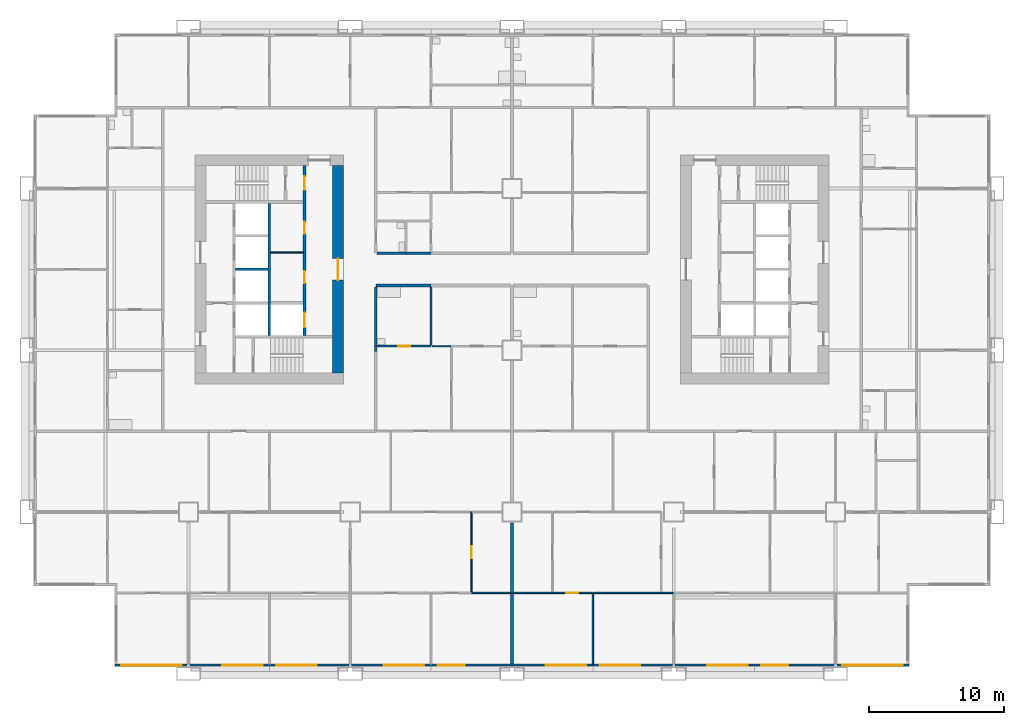
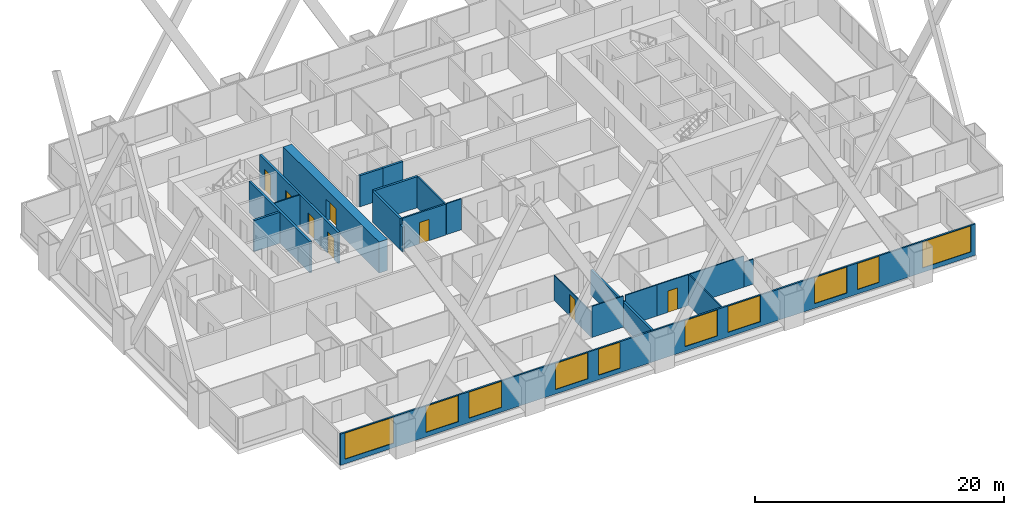
# One storey, part 4 of 13: 23 walls, 10 windows, 8 doors, 18 openings.
"""IFC4 building model written with IfcOpenShell, lengths in metres."""

import ifcopenshell
import ifcopenshell.guid

model = None  # the IFC model being written
_history = None  # IfcOwnerHistory: only IFC2X3 demands one
_inside = {}  # id of a spatial element -> (the spatial element, [elements in it])
_under = {}  # id of a project, library or spatial element -> (it, [spatial elements below it])
_declared = {}  # id of a project -> (the project, [libraries it declares])
_typed = {}  # id of a type object -> (the type object, [elements of that type])
_made_of = {}  # id of a material, layer set ... -> (it, [elements and type objects made of it])


def new_model(schema):
    """Start an empty IFC model of exactly this schema.

    Asked for "IFC4X3", IfcOpenShell would pick the latest addendum, in which some entities
    have other attributes; the version numbers below select the first issue.
    IFC2X3 requires an IfcOwnerHistory on every rooted entity: one is made here for all.
    """
    global model, _history
    if schema == "IFC4X3":
        model = ifcopenshell.file(schema_version=(4, 3, 0, 0))
    else:
        model = ifcopenshell.file(schema=schema)
    _inside.clear()
    _under.clear()
    _declared.clear()
    _typed.clear()
    _made_of.clear()
    _history = None
    if model.schema == "IFC2X3":
        org = make("IfcOrganization", Name="unknown")
        user = make(
            "IfcPersonAndOrganization",
            ThePerson=make("IfcPerson", FamilyName="unknown"),
            TheOrganization=org,
        )
        app = make(
            "IfcApplication",
            ApplicationDeveloper=org,
            Version="unknown",
            ApplicationFullName="unknown",
            ApplicationIdentifier="unknown",
        )
        _history = make(
            "IfcOwnerHistory",
            OwningUser=user,
            OwningApplication=app,
            ChangeAction="ADDED",
            CreationDate=0,
        )
    return model


def make(cls, **values):
    """One entity of the class cls with the attributes given. An attribute that is None is left unset."""
    return model.create_entity(
        cls, **{name: value for name, value in values.items() if value is not None}
    )


def rooted(cls, **values):
    """An entity with a GlobalId (a new one), such as an element, a storey or a relation."""
    return make(cls, GlobalId=ifcopenshell.guid.new(), OwnerHistory=_history, **values)


def si_unit(unit_type, name, prefix=None):
    """IfcSIUnit, for example si_unit("LENGTHUNIT", "METRE", prefix="MILLI")."""
    return make("IfcSIUnit", UnitType=unit_type, Prefix=prefix, Name=name)


def assignment(units):
    """IfcUnitAssignment: the units of a project."""
    return None if units is None else make("IfcUnitAssignment", Units=units)


def point(xyz):
    """IfcCartesianPoint."""
    return None if xyz is None else make("IfcCartesianPoint", Coordinates=xyz)


def direction(xyz):
    """IfcDirection."""
    return None if xyz is None else make("IfcDirection", DirectionRatios=xyz)


def frame(location, z_axis=None, x_axis=None):
    """IfcAxis2Placement3D, a coordinate frame: its origin and axes. An axis left out is left unset."""
    return make(
        "IfcAxis2Placement3D",
        Location=point(location),
        Axis=direction(z_axis),
        RefDirection=direction(x_axis),
    )


def frame_2d(location, x_axis=None):
    """IfcAxis2Placement2D, a coordinate frame in the plane: its origin and x axis."""
    return make(
        "IfcAxis2Placement2D", Location=point(location), RefDirection=direction(x_axis)
    )


def origin():
    """The frame at (0, 0, 0) with its axes left unset."""
    return frame((0.0, 0.0, 0.0))


def place(relative_to, where):
    """IfcLocalPlacement: puts the frame where relative to a parent placement (None: the world)."""
    return make(
        "IfcLocalPlacement", PlacementRelTo=relative_to, RelativePlacement=where
    )


def context(
    kind, dimensions, precision=None, world=None, true_north=None, identifier=None
):
    """IfcGeometricRepresentationContext, for example the 3D "Model" context."""
    return make(
        "IfcGeometricRepresentationContext",
        ContextIdentifier=identifier,
        ContextType=kind,
        CoordinateSpaceDimension=dimensions,
        Precision=precision,
        WorldCoordinateSystem=world,
        TrueNorth=true_north,
    )


def subcontext(parent, identifier, kind, view, scale=None):
    """IfcGeometricRepresentationSubContext, for example "Body" below "Model"."""
    return make(
        "IfcGeometricRepresentationSubContext",
        ContextIdentifier=identifier,
        ContextType=kind,
        ParentContext=parent,
        TargetScale=scale,
        TargetView=view,
    )


def project(units=None, contexts=None):
    """IfcProject with its units and contexts."""
    return rooted(
        "IfcProject",
        Name="project",
        RepresentationContexts=contexts,
        UnitsInContext=assignment(units),
    )


def spatial(cls, under=None, at=None, **own):
    """A site, building, storey or space (cls), placed at a placement, below another one or the project."""
    s = rooted(cls, ObjectPlacement=at, **own)
    if under is not None:
        _under.setdefault(under.id(), (under, []))[1].append(s)
    return s


def profile(cls, at=None, kind="AREA", **sizes):
    """A parametric profile (cls). Its sizes go by their IFC names, for example OverallWidth=200.0."""
    return make(cls, ProfileType=kind, Position=at, **sizes)


def rectangle(**sizes):
    """IfcRectangleProfileDef."""
    return profile("IfcRectangleProfileDef", **sizes)


def extrude(swept, where, along, depth):
    """IfcExtrudedAreaSolid: the profile swept, set in the frame where, extruded along a direction by depth."""
    return make(
        "IfcExtrudedAreaSolid",
        SweptArea=swept,
        Position=where,
        ExtrudedDirection=direction(along),
        Depth=depth,
    )


def shape(context_of_items, identifier, shape_type, items):
    """IfcShapeRepresentation: the items that make up one representation, for example the "Body"."""
    return make(
        "IfcShapeRepresentation",
        ContextOfItems=context_of_items,
        RepresentationIdentifier=identifier,
        RepresentationType=shape_type,
        Items=items,
    )


def material(Name=None, Category=None):
    """IfcMaterial."""
    return make("IfcMaterial", Name=Name, Category=Category)


def layer(
    of_material, thickness, ventilated=None, Name=None, Category=None, Priority=None
):
    """IfcMaterialLayer: one layer of a wall or slab, of a material (None: an air gap)."""
    return make(
        "IfcMaterialLayer",
        Material=of_material,
        LayerThickness=thickness,
        IsVentilated=ventilated,
        Name=Name,
        Category=Category,
        Priority=Priority,
    )


def layer_set(layers, Name=None):
    """IfcMaterialLayerSet."""
    return make("IfcMaterialLayerSet", MaterialLayers=layers, LayerSetName=Name)


def made_of(thing, what):
    """Note that an element or type object is made of a material, layer set ...; save() writes the relation."""
    if what is not None:
        _made_of.setdefault(what.id(), (what, []))[1].append(thing)
    return thing


def type_object(cls, material=None, **own):
    """A type object (cls), such as IfcWallType, which elements share."""
    return made_of(rooted(cls, **own), material)


def element(
    cls,
    number,
    at=None,
    inside=None,
    cuts=None,
    type_object=None,
    material=None,
    context=None,
    identifier="Body",
    shape_type=None,
    held_by="IfcProductDefinitionShape",
    body=None,
    shapes=None,
    **own,
):
    """One element of the class cls, such as IfcWall. Its Tag is "e" and its number.

    at: its placement. inside: the storey or other place that contains it. cuts: it is an
    opening in that element (IfcRelVoidsElement). A single representation is given by context,
    identifier, shape_type and body (its items); several are given by shapes. held_by: the class
    of the entity that holds the representations. save() writes the other relations.
    """
    e = rooted(cls, Tag="e%d" % number, ObjectPlacement=at, **own)
    if body is not None:
        shapes = [shape(context, identifier, shape_type, body)]
    if shapes is not None:
        e.Representation = make(held_by, Representations=shapes)
    if inside is not None:
        _inside.setdefault(inside.id(), (inside, []))[1].append(e)
    if cuts is not None:
        rooted(
            "IfcRelVoidsElement", RelatingBuildingElement=cuts, RelatedOpeningElement=e
        )
    if type_object is not None:
        _typed.setdefault(type_object.id(), (type_object, []))[1].append(e)
    return made_of(e, material)


def fill(opening, filler):
    """IfcRelFillsElement: the door or window that sits in an opening."""
    return rooted(
        "IfcRelFillsElement",
        RelatingOpeningElement=opening,
        RelatedBuildingElement=filler,
    )


def aggregate(whole, parts):
    """IfcRelAggregates: a whole, such as a stair, and the parts it consists of."""
    return rooted("IfcRelAggregates", RelatingObject=whole, RelatedObjects=parts)


def save(model, path):
    """Write the relations noted so far, then the file.

    IfcRelAggregates (storeys below a building ...), IfcRelContainedInSpatialStructure (elements
    in a storey), IfcRelDefinesByType, IfcRelAssociatesMaterial and IfcRelDeclares: one each for
    every whole, place, type object, material and project.
    """
    for whole, parts in _under.values():
        aggregate(whole, parts)
    for where, things in _inside.values():
        rooted(
            "IfcRelContainedInSpatialStructure",
            RelatedElements=things,
            RelatingStructure=where,
        )
    for kind, things in _typed.values():
        rooted("IfcRelDefinesByType", RelatedObjects=things, RelatingType=kind)
    for what, things in _made_of.values():
        rooted("IfcRelAssociatesMaterial", RelatedObjects=things, RelatingMaterial=what)
    for by, libraries in _declared.values():
        rooted("IfcRelDeclares", RelatingContext=by, RelatedDefinitions=libraries)
    model.write(path)


model = new_model("IFC4")

# Units and contexts
model_context = context("Model", 3, precision=1e-05, world=origin(), true_north=direction((0.0, 1.0)))
body_context = subcontext(model_context, "Body", "Model", "MODEL_VIEW")
ifc_project = project(units=[si_unit("LENGTHUNIT", "METRE"), si_unit("AREAUNIT", "SQUARE_METRE"), si_unit("VOLUMEUNIT", "CUBIC_METRE"), si_unit("PLANEANGLEUNIT", "RADIAN"), si_unit("MASSUNIT", "GRAM", prefix="KILO")], contexts=[model_context])

# Site, building, storey
site_placement = place(None, origin())
site = spatial("IfcSite", under=ifc_project, at=site_placement, CompositionType="ELEMENT")
building_placement = place(site_placement, origin())
building = spatial("IfcBuilding", under=site, at=building_placement, Name="Kitamizu Gate Tower and Museum", CompositionType="ELEMENT")
storey_placement = place(building_placement, frame((0.0, 0.0, 30.0)))
storey = spatial("IfcBuildingStorey", under=building, at=storey_placement, Name="L05", CompositionType="ELEMENT", Elevation=30.0)

# Wall, opening, door
ifc_material_1 = material(Name="Concrete Fc60", Category="concrete")
ifc_layer_1 = layer(ifc_material_1, 0.800048828125)
ifc_layer_set_1 = layer_set([ifc_layer_1], Name="Concrete Fc60")
wall_type_1 = type_object("IfcWallType", Name="Core wall 800", PredefinedType="SHEAR", material=ifc_layer_set_1)
wall_1_placement = place(storey_placement, frame((23.10009765625, 22.300048828125, 0.0), z_axis=(0.0, 0.0, 1.0), x_axis=(0.0, 1.0, 0.0)))
wall_1 = element("IfcWall", 1, at=wall_1_placement, inside=storey, type_object=wall_type_1, Name="Core wall WARC", PredefinedType="SHEAR", context=body_context, shape_type="SweptSolid", body=[
    extrude(rectangle(XDim=15.39990234375, YDim=0.800048828125, at=frame_2d((7.699951171875, 0.0))), origin(), (0.0, 0.0, 1.0), 3.050048828125),
])
opening_1_placement = place(wall_1_placement, frame((6.89990234375, 0.0, 0.0)))
opening_1 = element("IfcOpeningElement", 2, at=opening_1_placement, cuts=wall_1, Name="Opening L05-086", PredefinedType="OPENING", context=body_context, shape_type="SweptSolid", body=[
    extrude(rectangle(XDim=1.60009765625, YDim=2.10009765625, at=frame_2d((0.800048828125, 1.050048828125))), frame((0.0, 0.41015625, 0.0), z_axis=(0.0, -1.0, 0.0), x_axis=(1.0, 0.0, 0.0)), (0.0, 0.0, 1.0), 0.820068359375),
])
ifc_material_2 = material(Name="Timber door set", Category="wood")
door_type_1 = type_object("IfcDoorType", Name="Entrance door 1600", OperationType="DOUBLE_DOOR_SINGLE_SWING", PredefinedType="DOOR", material=ifc_material_2)
door_1_placement = place(opening_1_placement, origin())
door_1 = element("IfcDoor", 3, at=door_1_placement, inside=storey, type_object=door_type_1, Name="Lobby door L05-086", OperationType="DOUBLE_DOOR_SINGLE_SWING", OverallHeight=2.10009765625, OverallWidth=1.60009765625, PredefinedType="DOOR", context=body_context, shape_type="SweptSolid", body=[
    extrude(rectangle(XDim=1.60009765625, YDim=2.10009765625, at=frame_2d((0.800048828125, 1.050048828125))), frame((0.0, 0.02490234375, 0.0), z_axis=(0.0, -1.0, 0.0), x_axis=(1.0, 0.0, 0.0)), (0.0, 0.0, 1.0), 0.050048828125),
])
fill(opening_1, door_1)

# Walls
ifc_material_3 = material(Name="Gypsum board on galvanised stud")
ifc_layer_2 = layer(ifc_material_3, 0.10009765625)
ifc_layer_set_2 = layer_set([ifc_layer_2], Name="Gypsum board on galvanised stud")
wall_type_2 = type_object("IfcWallType", Name="Partition 100", PredefinedType="PARTITIONING", material=ifc_layer_set_2)
wall_2_placement = place(storey_placement, frame((18.10009765625, 31.25, 0.0), z_axis=(0.0, 0.0, 1.0), x_axis=(1.0, 0.0, 0.0)))
element("IfcWall", 4, at=wall_2_placement, inside=storey, type_object=wall_type_2, Name="Partition WPF1", PredefinedType="PARTITIONING", context=body_context, shape_type="SweptSolid", body=[
    extrude(rectangle(XDim=2.39990234375, YDim=0.10009765625, at=frame_2d((1.199951171875, 0.0))), origin(), (0.0, 0.0, 1.0), 3.050048828125),
])
ifc_material_4 = material(Name="Gypsum board on galvanised stud")
ifc_layer_3 = layer(ifc_material_4, 0.10009765625)
ifc_layer_set_3 = layer_set([ifc_layer_3], Name="Gypsum board on galvanised stud")
wall_type_3 = type_object("IfcWallType", Name="Partition 100 NOT RATED", PredefinedType="PARTITIONING", material=ifc_layer_set_3)
wall_3_placement = place(storey_placement, frame((35.89990234375, 6.0, 0.0), z_axis=(0.0, 0.0, 1.0), x_axis=(-1.0, 0.0, 0.0)))
element("IfcWall", 5, at=wall_3_placement, inside=storey, type_object=wall_type_3, Name="Partition L05-011", PredefinedType="PARTITIONING", context=body_context, shape_type="SweptSolid", body=[
    extrude(rectangle(XDim=2.89990234375, YDim=0.10009765625, at=frame_2d((1.449951171875, 0.0))), origin(), (0.0, 0.0, 1.0), 3.050048828125),
])

# Wall, opening, door
wall_4_placement = place(storey_placement, frame((33.0, 6.050048828125, 0.0), z_axis=(0.0, 0.0, 1.0), x_axis=(0.0, 1.0, 0.0)))
wall_4 = element("IfcWall", 6, at=wall_4_placement, inside=storey, type_object=wall_type_3, Name="Partition L05-022", PredefinedType="PARTITIONING", context=body_context, shape_type="SweptSolid", body=[
    extrude(rectangle(XDim=5.949951171875, YDim=0.10009765625, at=frame_2d((2.97509765625, 0.0))), origin(), (0.0, 0.0, 1.0), 2.449951171875),
])
opening_2_placement = place(wall_4_placement, frame((2.52490234375, 0.0, 0.0)))
opening_2 = element("IfcOpeningElement", 7, at=opening_2_placement, cuts=wall_4, Name="Opening L05-011", PredefinedType="OPENING", context=body_context, shape_type="SweptSolid", body=[
    extrude(rectangle(XDim=0.89990234375, YDim=2.10009765625, at=frame_2d((0.449951171875, 1.050048828125))), frame((0.0, 0.06005859375, 0.0), z_axis=(0.0, -1.0, 0.0), x_axis=(1.0, 0.0, 0.0)), (0.0, 0.0, 1.0), 0.1201171875),
])
ifc_material_5 = material(Name="Timber door set", Category="wood")
door_type_2 = type_object("IfcDoorType", Name="Room door 900", OperationType="NOTDEFINED", PredefinedType="DOOR", material=ifc_material_5)
door_2_placement = place(opening_2_placement, frame((0.89990234375, 0.0, 0.0), x_axis=(-1.0, 0.0, 0.0)))
door_2 = element("IfcDoor", 8, at=door_2_placement, inside=storey, type_object=door_type_2, Name="Door L05-011", OperationType="SINGLE_SWING_LEFT", OverallHeight=2.10009765625, OverallWidth=0.89990234375, PredefinedType="DOOR", context=body_context, shape_type="SweptSolid", body=[
    extrude(rectangle(XDim=0.89990234375, YDim=2.10009765625, at=frame_2d((0.449951171875, 1.050048828125))), frame((0.0, 0.02490234375, 0.0), z_axis=(0.0, -1.0, 0.0), x_axis=(1.0, 0.0, 0.0)), (0.0, 0.0, 1.0), 0.050048828125),
])
fill(opening_2, door_2)

# Walls
wall_5_placement = place(storey_placement, frame((31.449951171875, 24.300048828125, 0.0), z_axis=(0.0, 0.0, 1.0), x_axis=(-1.0, 0.0, 0.0)))
element("IfcWall", 9, at=wall_5_placement, inside=storey, type_object=wall_type_3, Name="Partition L05-041", PredefinedType="PARTITIONING", context=body_context, shape_type="SweptSolid", body=[
    extrude(rectangle(XDim=1.375, YDim=0.10009765625, at=frame_2d((0.6875, 0.0))), origin(), (0.0, 0.0, 1.0), 3.050048828125),
])
wall_6_placement = place(storey_placement, frame((42.0, 0.719970703125, 0.0), z_axis=(0.0, 0.0, 1.0), x_axis=(0.0, 1.0, 0.0)))
element("IfcWall", 10, at=wall_6_placement, inside=storey, type_object=wall_type_3, Name="Partition L05-073", PredefinedType="PARTITIONING", context=body_context, shape_type="SweptSolid", body=[
    extrude(rectangle(XDim=5.280029296875, YDim=0.10009765625, at=frame_2d((2.64013671875, 0.0))), origin(), (0.0, 0.0, 1.0), 3.050048828125),
])
wall_7_placement = place(storey_placement, frame((39.0, 6.0, 0.0), z_axis=(0.0, 0.0, 1.0), x_axis=(-1.0, 0.0, 0.0)))
element("IfcWall", 11, at=wall_7_placement, inside=storey, type_object=wall_type_3, Name="Partition L05-074", PredefinedType="PARTITIONING", context=body_context, shape_type="SweptSolid", body=[
    extrude(rectangle(XDim=2.89990234375, YDim=0.10009765625, at=frame_2d((1.449951171875, 0.0))), origin(), (0.0, 0.0, 1.0), 3.050048828125),
])

# Wall, opening, door
wall_8_placement = place(storey_placement, frame((41.949951171875, 6.0, 0.0), z_axis=(0.0, 0.0, 1.0), x_axis=(-1.0, 0.0, 0.0)))
wall_8 = element("IfcWall", 12, at=wall_8_placement, inside=storey, type_object=wall_type_3, Name="Partition L05-075", PredefinedType="PARTITIONING", context=body_context, shape_type="SweptSolid", body=[
    extrude(rectangle(XDim=2.949951171875, YDim=0.10009765625, at=frame_2d((1.47509765625, 0.0))), origin(), (0.0, 0.0, 1.0), 3.050048828125),
])
opening_3_placement = place(wall_8_placement, frame((1.02490234375, 0.0, 0.0)))
opening_3 = element("IfcOpeningElement", 13, at=opening_3_placement, cuts=wall_8, Name="Opening L05-033", PredefinedType="OPENING", context=body_context, shape_type="SweptSolid", body=[
    extrude(rectangle(XDim=0.89990234375, YDim=2.10009765625, at=frame_2d((0.449951171875, 1.050048828125))), frame((0.0, 0.06005859375, 0.0), z_axis=(0.0, -1.0, 0.0), x_axis=(1.0, 0.0, 0.0)), (0.0, 0.0, 1.0), 0.1201171875),
])
door_3_placement = place(opening_3_placement, origin())
door_3 = element("IfcDoor", 14, at=door_3_placement, inside=storey, type_object=door_type_2, Name="Door L05-033", OperationType="SINGLE_SWING_RIGHT", OverallHeight=2.10009765625, OverallWidth=0.89990234375, PredefinedType="DOOR", context=body_context, shape_type="SweptSolid", body=[
    extrude(rectangle(XDim=0.89990234375, YDim=2.10009765625, at=frame_2d((0.449951171875, 1.050048828125))), frame((0.0, 0.02490234375, 0.0), z_axis=(0.0, -1.0, 0.0), x_axis=(1.0, 0.0, 0.0)), (0.0, 0.0, 1.0), 0.050048828125),
])
fill(opening_3, door_3)

# Walls
wall_9_placement = place(storey_placement, frame((47.070068359375, 6.0, 0.0), z_axis=(0.0, 0.0, 1.0), x_axis=(-1.0, 0.0, 0.0)))
element("IfcWall", 15, at=wall_9_placement, inside=storey, type_object=wall_type_3, Name="Partition L05-077", PredefinedType="PARTITIONING", context=body_context, shape_type="SweptSolid", body=[
    extrude(rectangle(XDim=5.02001953125, YDim=0.10009765625, at=frame_2d((2.510009765625, 0.0))), origin(), (0.0, 0.0, 1.0), 3.050048828125),
])
wall_10_placement = place(storey_placement, frame((47.949951171875, 6.0, 0.0), z_axis=(0.0, 0.0, 1.0), x_axis=(-1.0, 0.0, 0.0)))
element("IfcWall", 16, at=wall_10_placement, inside=storey, type_object=wall_type_3, Name="Partition L05-078", PredefinedType="PARTITIONING", context=body_context, shape_type="SweptSolid", body=[
    extrude(rectangle(XDim=0.8798828125, YDim=0.10009765625, at=frame_2d((0.43994140625, 0.0))), origin(), (0.0, 0.0, 1.0), 2.449951171875),
])

# Wall, opening, door
ifc_material_6 = material(Name="Gypsum board on galvanised stud")
ifc_layer_4 = layer(ifc_material_6, 0.14990234375)
ifc_layer_set_4 = layer_set([ifc_layer_4], Name="Gypsum board on galvanised stud")
wall_type_4 = type_object("IfcWallType", Name="Partition 150", PredefinedType="PARTITIONING", material=ifc_layer_set_4)
wall_11_placement = place(storey_placement, frame((30.0, 24.300048828125, 0.0), z_axis=(0.0, 0.0, 1.0), x_axis=(-1.0, 0.0, 0.0)))
wall_11 = element("IfcWall", 17, at=wall_11_placement, inside=storey, type_object=wall_type_4, Name="Partition L05-040", PredefinedType="PARTITIONING", context=body_context, shape_type="SweptSolid", body=[
    extrude(rectangle(XDim=4.0, YDim=0.14990234375, at=frame_2d((2.0, 0.0))), origin(), (0.0, 0.0, 1.0), 3.050048828125),
])
opening_4_placement = place(wall_11_placement, frame((1.550048828125, 0.0, 0.0)))
opening_4 = element("IfcOpeningElement", 18, at=opening_4_placement, cuts=wall_11, Name="Opening L05-017", PredefinedType="OPENING", context=body_context, shape_type="SweptSolid", body=[
    extrude(rectangle(XDim=0.89990234375, YDim=2.10009765625, at=frame_2d((0.449951171875, 1.050048828125))), frame((0.0, 0.0849609375, 0.0), z_axis=(0.0, -1.0, 0.0), x_axis=(1.0, 0.0, 0.0)), (0.0, 0.0, 1.0), 0.169921875),
])
ifc_material_7 = material(Name="Timber door set", Category="wood")
door_type_3 = type_object("IfcDoorType", Name="Bathroom door 900", OperationType="NOTDEFINED", PredefinedType="DOOR", material=ifc_material_7)
door_4_placement = place(opening_4_placement, frame((0.89990234375, 0.0, 0.0), x_axis=(-1.0, 0.0, 0.0)))
door_4 = element("IfcDoor", 19, at=door_4_placement, inside=storey, type_object=door_type_3, Name="Bathroom door L05-017", OperationType="SINGLE_SWING_LEFT", OverallHeight=2.10009765625, OverallWidth=0.89990234375, PredefinedType="DOOR", context=body_context, shape_type="SweptSolid", body=[
    extrude(rectangle(XDim=0.89990234375, YDim=2.10009765625, at=frame_2d((0.449951171875, 1.050048828125))), frame((0.0, 0.02490234375, 0.0), z_axis=(0.0, -1.0, 0.0), x_axis=(1.0, 0.0, 0.0)), (0.0, 0.0, 1.0), 0.050048828125),
])
fill(opening_4, door_4)

# Walls
wall_12_placement = place(storey_placement, frame((30.0, 24.375, 0.0), z_axis=(0.0, 0.0, 1.0), x_axis=(0.0, 1.0, 0.0)))
element("IfcWall", 20, at=wall_12_placement, inside=storey, type_object=wall_type_4, Name="Partition L05-046", PredefinedType="PARTITIONING", context=body_context, shape_type="SweptSolid", body=[
    extrude(rectangle(XDim=4.324951171875, YDim=0.14990234375, at=frame_2d((2.16259765625, 0.0))), origin(), (0.0, 0.0, 1.0), 3.050048828125),
])
ifc_material_8 = material(Name="Gypsum board on galvanised stud")
ifc_layer_5 = layer(ifc_material_8, 0.199951171875)
ifc_layer_set_5 = layer_set([ifc_layer_5], Name="Gypsum board on galvanised stud")
wall_type_5 = type_object("IfcWallType", Name="Partition 200", PredefinedType="PARTITIONING", material=ifc_layer_set_5)
wall_13_placement = place(storey_placement, frame((36.0, 0.719970703125, 0.0), z_axis=(0.0, 0.0, 1.0), x_axis=(0.0, 1.0, 0.0)))
element("IfcWall", 21, at=wall_13_placement, inside=storey, type_object=wall_type_5, Name="Partition L05-012", PredefinedType="PARTITIONING", context=body_context, shape_type="SweptSolid", body=[
    extrude(rectangle(XDim=5.280029296875, YDim=0.199951171875, at=frame_2d((2.64013671875, 0.0))), origin(), (0.0, 0.0, 1.0), 2.449951171875),
])
wall_14_placement = place(storey_placement, frame((36.0, 6.0, 0.0), z_axis=(0.0, 0.0, 1.0), x_axis=(0.0, 1.0, 0.0)))
element("IfcWall", 22, at=wall_14_placement, inside=storey, type_object=wall_type_5, Name="Partition L05-026", PredefinedType="PARTITIONING", context=body_context, shape_type="SweptSolid", body=[
    extrude(rectangle(XDim=5.199951171875, YDim=0.199951171875, at=frame_2d((2.60009765625, 0.0))), origin(), (0.0, 0.0, 1.0), 2.449951171875),
])
wall_15_placement = place(storey_placement, frame((25.89990234375, 24.300048828125, 0.0), z_axis=(0.0, 0.0, 1.0), x_axis=(0.0, -1.0, 0.0)))
element("IfcWall", 23, at=wall_15_placement, inside=storey, type_object=wall_type_5, Name="Partition L05-042", PredefinedType="PARTITIONING", context=body_context, shape_type="SweptSolid", body=[
    extrude(rectangle(XDim=0.400146484375, YDim=0.199951171875, at=frame_2d((0.2001953125, 0.0))), origin(), (0.0, 0.0, 1.0), 2.449951171875),
])
wall_16_placement = place(storey_placement, frame((30.0, 28.800048828125, 0.0), z_axis=(0.0, 0.0, 1.0), x_axis=(-1.0, 0.0, 0.0)))
element("IfcWall", 24, at=wall_16_placement, inside=storey, type_object=wall_type_5, Name="Partition L05-047", PredefinedType="PARTITIONING", context=body_context, shape_type="SweptSolid", body=[
    extrude(rectangle(XDim=4.10009765625, YDim=0.199951171875, at=frame_2d((2.050048828125, 0.0))), origin(), (0.0, 0.0, 1.0), 3.050048828125),
])
wall_17_placement = place(storey_placement, frame((25.89990234375, 28.699951171875, 0.0), z_axis=(0.0, 0.0, 1.0), x_axis=(0.0, -1.0, 0.0)))
element("IfcWall", 25, at=wall_17_placement, inside=storey, type_object=wall_type_5, Name="Partition L05-048", PredefinedType="PARTITIONING", context=body_context, shape_type="SweptSolid", body=[
    extrude(rectangle(XDim=4.39990234375, YDim=0.199951171875, at=frame_2d((2.199951171875, 0.0))), origin(), (0.0, 0.0, 1.0), 3.050048828125),
])
wall_18_placement = place(storey_placement, frame((26.0, 31.199951171875, 0.0), z_axis=(0.0, 0.0, 1.0), x_axis=(1.0, 0.0, 0.0)))
element("IfcWall", 26, at=wall_18_placement, inside=storey, type_object=wall_type_5, Name="Partition L05-171", PredefinedType="PARTITIONING", context=body_context, shape_type="SweptSolid", body=[
    extrude(rectangle(XDim=2.14990234375, YDim=0.199951171875, at=frame_2d((1.074951171875, 0.0))), origin(), (0.0, 0.0, 1.0), 3.050048828125),
])
wall_19_placement = place(storey_placement, frame((28.14990234375, 31.199951171875, 0.0), z_axis=(0.0, 0.0, 1.0), x_axis=(1.0, 0.0, 0.0)))
element("IfcWall", 27, at=wall_19_placement, inside=storey, type_object=wall_type_5, Name="Partition L05-174", PredefinedType="PARTITIONING", context=body_context, shape_type="SweptSolid", body=[
    extrude(rectangle(XDim=1.85009765625, YDim=0.199951171875, at=frame_2d((0.925048828125, 0.0))), origin(), (0.0, 0.0, 1.0), 3.050048828125),
])

# Wall, openings, doors
ifc_material_9 = material(Name="Concrete Fc42", Category="concrete")
ifc_layer_6 = layer(ifc_material_9, 0.199951171875)
ifc_layer_set_6 = layer_set([ifc_layer_6], Name="Concrete Fc42")
wall_type_6 = type_object("IfcWallType", Name="Shaft wall 200", PredefinedType="SOLIDWALL", material=ifc_layer_set_6)
wall_20_placement = place(storey_placement, frame((20.60009765625, 25.10009765625, 0.0), z_axis=(0.0, 0.0, 1.0), x_axis=(0.0, 1.0, 0.0)))
wall_20 = element("IfcWall", 28, at=wall_20_placement, inside=storey, type_object=wall_type_6, Name="Shaft wall WEAST", PredefinedType="SOLIDWALL", context=body_context, shape_type="SweptSolid", body=[
    extrude(rectangle(XDim=12.599853515625, YDim=0.199951171875, at=frame_2d((6.2998046875, 0.0))), origin(), (0.0, 0.0, 1.0), 3.050048828125),
])
opening_5_placement = place(wall_20_placement, frame((0.60009765625, 0.0, 0.0)))
opening_5 = element("IfcOpeningElement", 29, at=opening_5_placement, cuts=wall_20, Name="Opening LD", PredefinedType="OPENING", context=body_context, shape_type="SweptSolid", body=[
    extrude(rectangle(XDim=1.10009765625, YDim=2.10009765625, at=frame_2d((0.550048828125, 1.050048828125))), frame((0.0, 0.10986328125, 0.0), z_axis=(0.0, -1.0, 0.0), x_axis=(1.0, 0.0, 0.0)), (0.0, 0.0, 1.0), 0.219970703125),
])
opening_6_placement = place(wall_20_placement, frame((10.800048828125, 0.0, 0.0)))
opening_6 = element("IfcOpeningElement", 30, at=opening_6_placement, cuts=wall_20, Name="Opening L05-080", PredefinedType="OPENING", context=body_context, shape_type="SweptSolid", body=[
    extrude(rectangle(XDim=1.0, YDim=2.10009765625, at=frame_2d((0.5, 1.050048828125))), frame((0.0, 0.10986328125, 0.0), z_axis=(0.0, -1.0, 0.0), x_axis=(1.0, 0.0, 0.0)), (0.0, 0.0, 1.0), 0.219970703125),
])
opening_7_placement = place(wall_20_placement, frame((3.875, 0.0, 0.0)))
opening_7 = element("IfcOpeningElement", 31, at=opening_7_placement, cuts=wall_20, Name="Opening L05-087", PredefinedType="OPENING", context=body_context, shape_type="SweptSolid", body=[
    extrude(rectangle(XDim=0.89990234375, YDim=2.10009765625, at=frame_2d((0.449951171875, 1.050048828125))), frame((0.0, 0.10986328125, 0.0), z_axis=(0.0, -1.0, 0.0), x_axis=(1.0, 0.0, 0.0)), (0.0, 0.0, 1.0), 0.219970703125),
])
opening_8_placement = place(wall_20_placement, frame((7.52490234375, 0.0, 0.0)))
opening_8 = element("IfcOpeningElement", 32, at=opening_8_placement, cuts=wall_20, Name="Opening L05-088", PredefinedType="OPENING", context=body_context, shape_type="SweptSolid", body=[
    extrude(rectangle(XDim=0.89990234375, YDim=2.10009765625, at=frame_2d((0.449951171875, 1.050048828125))), frame((0.0, 0.10986328125, 0.0), z_axis=(0.0, -1.0, 0.0), x_axis=(1.0, 0.0, 0.0)), (0.0, 0.0, 1.0), 0.219970703125),
])
ifc_material_10 = material(Name="Hollow metal door set")
door_type_4 = type_object("IfcDoorType", Name="Fire door 1000", OperationType="NOTDEFINED", PredefinedType="DOOR", material=ifc_material_10)
door_5_placement = place(opening_6_placement, origin())
door_5 = element("IfcDoor", 33, at=door_5_placement, inside=storey, type_object=door_type_4, Name="Stair lobby door L05-080", OperationType="SINGLE_SWING_LEFT", OverallHeight=2.10009765625, OverallWidth=1.0, PredefinedType="DOOR", context=body_context, shape_type="SweptSolid", body=[
    extrude(rectangle(XDim=1.0, YDim=2.10009765625, at=frame_2d((0.5, 1.050048828125))), frame((0.0, 0.02490234375, 0.0), z_axis=(0.0, -1.0, 0.0), x_axis=(1.0, 0.0, 0.0)), (0.0, 0.0, 1.0), 0.050048828125),
])
fill(opening_6, door_5)
ifc_material_11 = material(Name="Hollow metal door set")
door_type_5 = type_object("IfcDoorType", Name="Landing door 1100", OperationType="SLIDING_TO_LEFT", PredefinedType="DOOR", material=ifc_material_11)
door_6_placement = place(opening_5_placement, origin())
door_6 = element("IfcDoor", 34, at=door_6_placement, inside=storey, type_object=door_type_5, Name="Landing door WSV1", OperationType="SLIDING_TO_LEFT", OverallHeight=2.10009765625, OverallWidth=1.10009765625, PredefinedType="DOOR", context=body_context, shape_type="SweptSolid", body=[
    extrude(rectangle(XDim=1.10009765625, YDim=2.10009765625, at=frame_2d((0.550048828125, 1.050048828125))), frame((0.0, 0.02490234375, 0.0), z_axis=(0.0, -1.0, 0.0), x_axis=(1.0, 0.0, 0.0)), (0.0, 0.0, 1.0), 0.050048828125),
])
fill(opening_5, door_6)
ifc_material_12 = material(Name="Timber door set", Category="wood")
door_type_6 = type_object("IfcDoorType", Name="Service door 900", OperationType="NOTDEFINED", PredefinedType="DOOR", material=ifc_material_12)
door_7_placement = place(opening_7_placement, origin())
door_7 = element("IfcDoor", 35, at=door_7_placement, inside=storey, type_object=door_type_6, Name="Service door L05-087", OperationType="SINGLE_SWING_LEFT", OverallHeight=2.10009765625, OverallWidth=0.89990234375, PredefinedType="DOOR", context=body_context, shape_type="SweptSolid", body=[
    extrude(rectangle(XDim=0.89990234375, YDim=2.10009765625, at=frame_2d((0.449951171875, 1.050048828125))), frame((0.0, 0.02490234375, 0.0), z_axis=(0.0, -1.0, 0.0), x_axis=(1.0, 0.0, 0.0)), (0.0, 0.0, 1.0), 0.050048828125),
])
fill(opening_7, door_7)
door_8_placement = place(opening_8_placement, origin())
door_8 = element("IfcDoor", 36, at=door_8_placement, inside=storey, type_object=door_type_6, Name="Service door L05-088", OperationType="SINGLE_SWING_RIGHT", OverallHeight=2.10009765625, OverallWidth=0.89990234375, PredefinedType="DOOR", context=body_context, shape_type="SweptSolid", body=[
    extrude(rectangle(XDim=0.89990234375, YDim=2.10009765625, at=frame_2d((0.449951171875, 1.050048828125))), frame((0.0, 0.02490234375, 0.0), z_axis=(0.0, -1.0, 0.0), x_axis=(1.0, 0.0, 0.0)), (0.0, 0.0, 1.0), 0.050048828125),
])
fill(opening_8, door_8)

# Walls
wall_21_placement = place(storey_placement, frame((18.0, 25.10009765625, 0.0), z_axis=(0.0, 0.0, 1.0), x_axis=(0.0, 1.0, 0.0)))
element("IfcWall", 37, at=wall_21_placement, inside=storey, type_object=wall_type_6, Name="Shaft wall WMID", PredefinedType="SOLIDWALL", context=body_context, shape_type="SweptSolid", body=[
    extrude(rectangle(XDim=9.7998046875, YDim=0.199951171875, at=frame_2d((4.89990234375, 0.0))), origin(), (0.0, 0.0, 1.0), 3.050048828125),
])
wall_22_placement = place(storey_placement, frame((15.5, 30.0, 0.0), z_axis=(0.0, 0.0, 1.0), x_axis=(1.0, 0.0, 0.0)))
element("IfcWall", 38, at=wall_22_placement, inside=storey, type_object=wall_type_6, Name="Shaft wall WDVW1", PredefinedType="SOLIDWALL", context=body_context, shape_type="SweptSolid", body=[
    extrude(rectangle(XDim=2.39990234375, YDim=0.199951171875, at=frame_2d((1.199951171875, 0.0))), origin(), (0.0, 0.0, 1.0), 3.050048828125),
])

# Wall, openings, windows
ifc_material_13 = material(Name="Bronze anodised aluminium frame with insulated spandrel and tinted glass", Category="aluminium")
ifc_layer_7 = layer(ifc_material_13, 0.14990234375)
ifc_layer_set_7 = layer_set([ifc_layer_7], Name="Bronze anodised aluminium frame with insulated spandrel and tinted glass")
wall_type_7 = type_object("IfcWallType", Name="WINDOW WALL 150 BRONZE FRAME EI 30", PredefinedType="ELEMENTEDWALL", material=ifc_layer_set_7)
wall_23_placement = place(storey_placement, frame((6.56005859375, 0.635009765625, 0.0), z_axis=(0.0, 0.0, 1.0), x_axis=(1.0, 0.0, 0.0)))
wall_23 = element("IfcWall", 39, at=wall_23_placement, inside=storey, type_object=wall_type_7, Name="Window wall south L05", PredefinedType="ELEMENTEDWALL", context=body_context, shape_type="SweptSolid", body=[
    extrude(rectangle(XDim=58.8798828125, YDim=0.14990234375, at=frame_2d((29.43994140625, 0.0))), origin(), (0.0, 0.0, 1.0), 3.050048828125),
])
opening_9_placement = place(wall_23_placement, frame((0.43994140625, 0.0, 0.449951171875)))
opening_9 = element("IfcOpeningElement", 40, at=opening_9_placement, cuts=wall_23, Name="Opening W15", PredefinedType="OPENING", context=body_context, shape_type="SweptSolid", body=[
    extrude(rectangle(XDim=4.5, YDim=2.550048828125, at=frame_2d((2.25, 1.27490234375))), frame((0.0, 0.0849609375, 0.0), z_axis=(0.0, -1.0, 0.0), x_axis=(1.0, 0.0, 0.0)), (0.0, 0.0, 1.0), 0.169921875),
])
opening_10_placement = place(wall_23_placement, frame((7.93994140625, 0.0, 0.449951171875)))
opening_10 = element("IfcOpeningElement", 41, at=opening_10_placement, cuts=wall_23, Name="Opening W33", PredefinedType="OPENING", context=body_context, shape_type="SweptSolid", body=[
    extrude(rectangle(XDim=3.0, YDim=2.550048828125, at=frame_2d((1.5, 1.27490234375))), frame((0.0, 0.0849609375, 0.0), z_axis=(0.0, -1.0, 0.0), x_axis=(1.0, 0.0, 0.0)), (0.0, 0.0, 1.0), 0.169921875),
])
opening_11_placement = place(wall_23_placement, frame((11.93994140625, 0.0, 0.449951171875)))
opening_11 = element("IfcOpeningElement", 42, at=opening_11_placement, cuts=wall_23, Name="Opening W33", PredefinedType="OPENING", context=body_context, shape_type="SweptSolid", body=[
    extrude(rectangle(XDim=3.0, YDim=2.550048828125, at=frame_2d((1.5, 1.27490234375))), frame((0.0, 0.0849609375, 0.0), z_axis=(0.0, -1.0, 0.0), x_axis=(1.0, 0.0, 0.0)), (0.0, 0.0, 1.0), 0.169921875),
])
opening_12_placement = place(wall_23_placement, frame((19.93994140625, 0.0, 0.449951171875)))
opening_12 = element("IfcOpeningElement", 43, at=opening_12_placement, cuts=wall_23, Name="Opening W33", PredefinedType="OPENING", context=body_context, shape_type="SweptSolid", body=[
    extrude(rectangle(XDim=3.0, YDim=2.550048828125, at=frame_2d((1.5, 1.27490234375))), frame((0.0, 0.0849609375, 0.0), z_axis=(0.0, -1.0, 0.0), x_axis=(1.0, 0.0, 0.0)), (0.0, 0.0, 1.0), 0.169921875),
])
opening_13_placement = place(wall_23_placement, frame((23.93994140625, 0.0, 0.449951171875)))
opening_13 = element("IfcOpeningElement", 44, at=opening_13_placement, cuts=wall_23, Name="Opening W2", PredefinedType="OPENING", context=body_context, shape_type="SweptSolid", body=[
    extrude(rectangle(XDim=2.0, YDim=2.550048828125, at=frame_2d((1.0, 1.27490234375))), frame((0.0, 0.0849609375, 0.0), z_axis=(0.0, -1.0, 0.0), x_axis=(1.0, 0.0, 0.0)), (0.0, 0.0, 1.0), 0.169921875),
])
opening_14_placement = place(wall_23_placement, frame((31.93994140625, 0.0, 0.449951171875)))
opening_14 = element("IfcOpeningElement", 45, at=opening_14_placement, cuts=wall_23, Name="Opening W33", PredefinedType="OPENING", context=body_context, shape_type="SweptSolid", body=[
    extrude(rectangle(XDim=3.0, YDim=2.550048828125, at=frame_2d((1.5, 1.27490234375))), frame((0.0, 0.0849609375, 0.0), z_axis=(0.0, -1.0, 0.0), x_axis=(1.0, 0.0, 0.0)), (0.0, 0.0, 1.0), 0.169921875),
])
opening_15_placement = place(wall_23_placement, frame((35.93994140625, 0.0, 0.449951171875)))
opening_15 = element("IfcOpeningElement", 46, at=opening_15_placement, cuts=wall_23, Name="Opening W33", PredefinedType="OPENING", context=body_context, shape_type="SweptSolid", body=[
    extrude(rectangle(XDim=3.0, YDim=2.550048828125, at=frame_2d((1.5, 1.27490234375))), frame((0.0, 0.0849609375, 0.0), z_axis=(0.0, -1.0, 0.0), x_axis=(1.0, 0.0, 0.0)), (0.0, 0.0, 1.0), 0.169921875),
])
opening_16_placement = place(wall_23_placement, frame((43.93994140625, 0.0, 0.449951171875)))
opening_16 = element("IfcOpeningElement", 47, at=opening_16_placement, cuts=wall_23, Name="Opening W33", PredefinedType="OPENING", context=body_context, shape_type="SweptSolid", body=[
    extrude(rectangle(XDim=3.0, YDim=2.550048828125, at=frame_2d((1.5, 1.27490234375))), frame((0.0, 0.0849609375, 0.0), z_axis=(0.0, -1.0, 0.0), x_axis=(1.0, 0.0, 0.0)), (0.0, 0.0, 1.0), 0.169921875),
])
opening_17_placement = place(wall_23_placement, frame((47.93994140625, 0.0, 0.449951171875)))
opening_17 = element("IfcOpeningElement", 48, at=opening_17_placement, cuts=wall_23, Name="Opening W2", PredefinedType="OPENING", context=body_context, shape_type="SweptSolid", body=[
    extrude(rectangle(XDim=2.0, YDim=2.550048828125, at=frame_2d((1.0, 1.27490234375))), frame((0.0, 0.0849609375, 0.0), z_axis=(0.0, -1.0, 0.0), x_axis=(1.0, 0.0, 0.0)), (0.0, 0.0, 1.0), 0.169921875),
])
opening_18_placement = place(wall_23_placement, frame((53.93994140625, 0.0, 0.449951171875)))
opening_18 = element("IfcOpeningElement", 49, at=opening_18_placement, cuts=wall_23, Name="Opening W15", PredefinedType="OPENING", context=body_context, shape_type="SweptSolid", body=[
    extrude(rectangle(XDim=4.5, YDim=2.550048828125, at=frame_2d((2.25, 1.27490234375))), frame((0.0, 0.0849609375, 0.0), z_axis=(0.0, -1.0, 0.0), x_axis=(1.0, 0.0, 0.0)), (0.0, 0.0, 1.0), 0.169921875),
])
ifc_material_14 = material(Name="Bronze anodised aluminium frame, tinted triple glazing", Category="aluminium")
window_type_1 = type_object("IfcWindowType", Name="WINDOW 2000 x 2550 SILL 450", PartitioningType="SINGLE_PANEL", PredefinedType="WINDOW", material=ifc_material_14)
window_1_placement = place(opening_13_placement, origin())
window_1 = element("IfcWindow", 50, at=window_1_placement, inside=storey, type_object=window_type_1, Name="Window W2 L05", OverallHeight=2.550048828125, OverallWidth=2.0, PartitioningType="SINGLE_PANEL", PredefinedType="WINDOW", context=body_context, shape_type="SweptSolid", body=[
    extrude(rectangle(XDim=2.0, YDim=2.550048828125, at=frame_2d((1.0, 1.27490234375))), frame((0.0, 0.030029296875, 0.0), z_axis=(0.0, -1.0, 0.0), x_axis=(1.0, 0.0, 0.0)), (0.0, 0.0, 1.0), 0.06005859375),
])
fill(opening_13, window_1)
window_2_placement = place(opening_17_placement, origin())
window_2 = element("IfcWindow", 51, at=window_2_placement, inside=storey, type_object=window_type_1, Name="Window W2 L05", OverallHeight=2.550048828125, OverallWidth=2.0, PartitioningType="SINGLE_PANEL", PredefinedType="WINDOW", context=body_context, shape_type="SweptSolid", body=[
    extrude(rectangle(XDim=2.0, YDim=2.550048828125, at=frame_2d((1.0, 1.27490234375))), frame((0.0, 0.030029296875, 0.0), z_axis=(0.0, -1.0, 0.0), x_axis=(1.0, 0.0, 0.0)), (0.0, 0.0, 1.0), 0.06005859375),
])
fill(opening_17, window_2)
ifc_material_15 = material(Name="Bronze anodised aluminium frame, tinted triple glazing", Category="aluminium")
window_type_2 = type_object("IfcWindowType", Name="WINDOW 3000 x 2550 SILL 450", PartitioningType="SINGLE_PANEL", PredefinedType="WINDOW", material=ifc_material_15)
window_3_placement = place(opening_10_placement, origin())
window_3 = element("IfcWindow", 52, at=window_3_placement, inside=storey, type_object=window_type_2, Name="Window W33 L05", OverallHeight=2.550048828125, OverallWidth=3.0, PartitioningType="SINGLE_PANEL", PredefinedType="WINDOW", context=body_context, shape_type="SweptSolid", body=[
    extrude(rectangle(XDim=3.0, YDim=2.550048828125, at=frame_2d((1.5, 1.27490234375))), frame((0.0, 0.030029296875, 0.0), z_axis=(0.0, -1.0, 0.0), x_axis=(1.0, 0.0, 0.0)), (0.0, 0.0, 1.0), 0.06005859375),
])
fill(opening_10, window_3)
window_4_placement = place(opening_11_placement, origin())
window_4 = element("IfcWindow", 53, at=window_4_placement, inside=storey, type_object=window_type_2, Name="Window W33 L05", OverallHeight=2.550048828125, OverallWidth=3.0, PartitioningType="SINGLE_PANEL", PredefinedType="WINDOW", context=body_context, shape_type="SweptSolid", body=[
    extrude(rectangle(XDim=3.0, YDim=2.550048828125, at=frame_2d((1.5, 1.27490234375))), frame((0.0, 0.030029296875, 0.0), z_axis=(0.0, -1.0, 0.0), x_axis=(1.0, 0.0, 0.0)), (0.0, 0.0, 1.0), 0.06005859375),
])
fill(opening_11, window_4)
window_5_placement = place(opening_12_placement, origin())
window_5 = element("IfcWindow", 54, at=window_5_placement, inside=storey, type_object=window_type_2, Name="Window W33 L05", OverallHeight=2.550048828125, OverallWidth=3.0, PartitioningType="SINGLE_PANEL", PredefinedType="WINDOW", context=body_context, shape_type="SweptSolid", body=[
    extrude(rectangle(XDim=3.0, YDim=2.550048828125, at=frame_2d((1.5, 1.27490234375))), frame((0.0, 0.030029296875, 0.0), z_axis=(0.0, -1.0, 0.0), x_axis=(1.0, 0.0, 0.0)), (0.0, 0.0, 1.0), 0.06005859375),
])
fill(opening_12, window_5)
window_6_placement = place(opening_14_placement, origin())
window_6 = element("IfcWindow", 55, at=window_6_placement, inside=storey, type_object=window_type_2, Name="Window W33 L05", OverallHeight=2.550048828125, OverallWidth=3.0, PartitioningType="SINGLE_PANEL", PredefinedType="WINDOW", context=body_context, shape_type="SweptSolid", body=[
    extrude(rectangle(XDim=3.0, YDim=2.550048828125, at=frame_2d((1.5, 1.27490234375))), frame((0.0, 0.030029296875, 0.0), z_axis=(0.0, -1.0, 0.0), x_axis=(1.0, 0.0, 0.0)), (0.0, 0.0, 1.0), 0.06005859375),
])
fill(opening_14, window_6)
window_7_placement = place(opening_15_placement, origin())
window_7 = element("IfcWindow", 56, at=window_7_placement, inside=storey, type_object=window_type_2, Name="Window W33 L05", OverallHeight=2.550048828125, OverallWidth=3.0, PartitioningType="SINGLE_PANEL", PredefinedType="WINDOW", context=body_context, shape_type="SweptSolid", body=[
    extrude(rectangle(XDim=3.0, YDim=2.550048828125, at=frame_2d((1.5, 1.27490234375))), frame((0.0, 0.030029296875, 0.0), z_axis=(0.0, -1.0, 0.0), x_axis=(1.0, 0.0, 0.0)), (0.0, 0.0, 1.0), 0.06005859375),
])
fill(opening_15, window_7)
window_8_placement = place(opening_16_placement, origin())
window_8 = element("IfcWindow", 57, at=window_8_placement, inside=storey, type_object=window_type_2, Name="Window W33 L05", OverallHeight=2.550048828125, OverallWidth=3.0, PartitioningType="SINGLE_PANEL", PredefinedType="WINDOW", context=body_context, shape_type="SweptSolid", body=[
    extrude(rectangle(XDim=3.0, YDim=2.550048828125, at=frame_2d((1.5, 1.27490234375))), frame((0.0, 0.030029296875, 0.0), z_axis=(0.0, -1.0, 0.0), x_axis=(1.0, 0.0, 0.0)), (0.0, 0.0, 1.0), 0.06005859375),
])
fill(opening_16, window_8)
ifc_material_16 = material(Name="Bronze anodised aluminium frame, tinted triple glazing", Category="aluminium")
window_type_3 = type_object("IfcWindowType", Name="WINDOW 4500 x 2550 SILL 450", PartitioningType="SINGLE_PANEL", PredefinedType="WINDOW", material=ifc_material_16)
window_9_placement = place(opening_9_placement, origin())
window_9 = element("IfcWindow", 58, at=window_9_placement, inside=storey, type_object=window_type_3, Name="Window W15 L05", OverallHeight=2.550048828125, OverallWidth=4.5, PartitioningType="SINGLE_PANEL", PredefinedType="WINDOW", context=body_context, shape_type="SweptSolid", body=[
    extrude(rectangle(XDim=4.5, YDim=2.550048828125, at=frame_2d((2.25, 1.27490234375))), frame((0.0, 0.030029296875, 0.0), z_axis=(0.0, -1.0, 0.0), x_axis=(1.0, 0.0, 0.0)), (0.0, 0.0, 1.0), 0.06005859375),
])
fill(opening_9, window_9)
window_10_placement = place(opening_18_placement, origin())
window_10 = element("IfcWindow", 59, at=window_10_placement, inside=storey, type_object=window_type_3, Name="Window W15 L05", OverallHeight=2.550048828125, OverallWidth=4.5, PartitioningType="SINGLE_PANEL", PredefinedType="WINDOW", context=body_context, shape_type="SweptSolid", body=[
    extrude(rectangle(XDim=4.5, YDim=2.550048828125, at=frame_2d((2.25, 1.27490234375))), frame((0.0, 0.030029296875, 0.0), z_axis=(0.0, -1.0, 0.0), x_axis=(1.0, 0.0, 0.0)), (0.0, 0.0, 1.0), 0.06005859375),
])
fill(opening_18, window_10)

save(model, "model.ifc")
